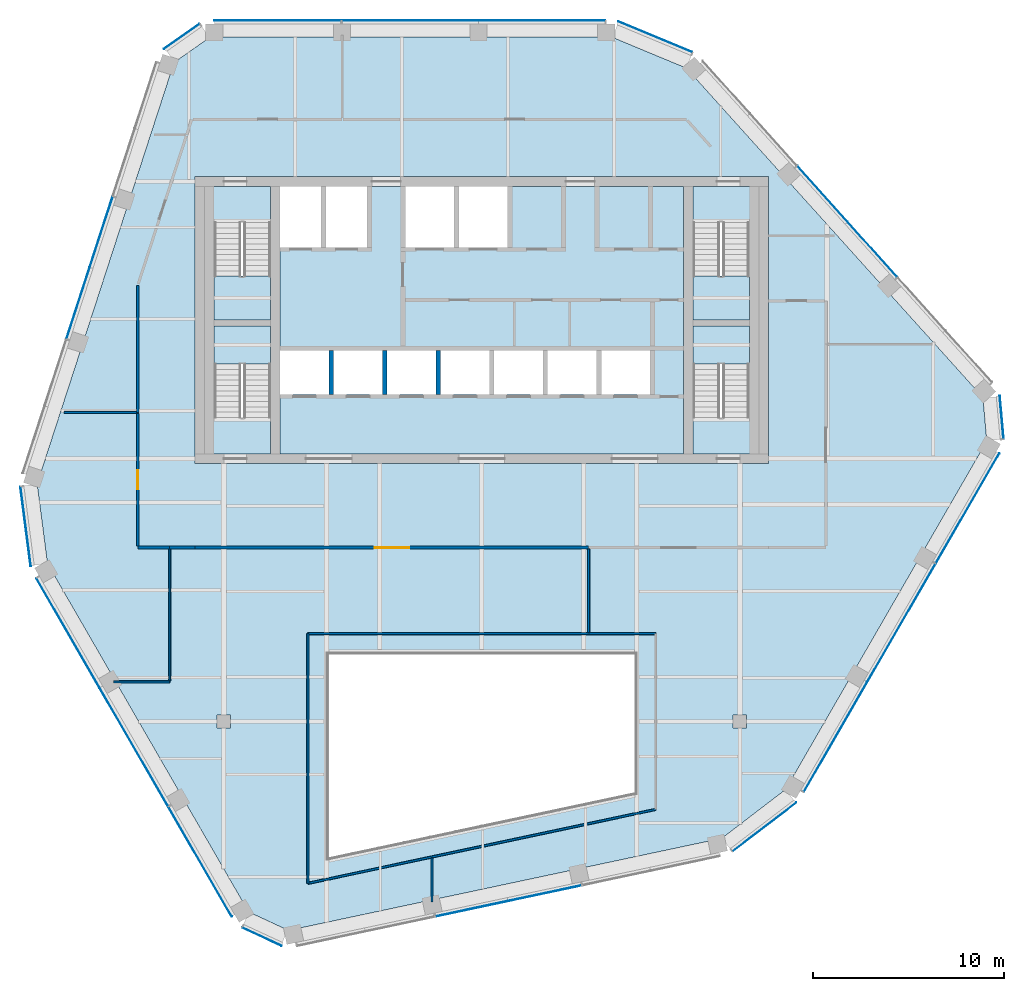
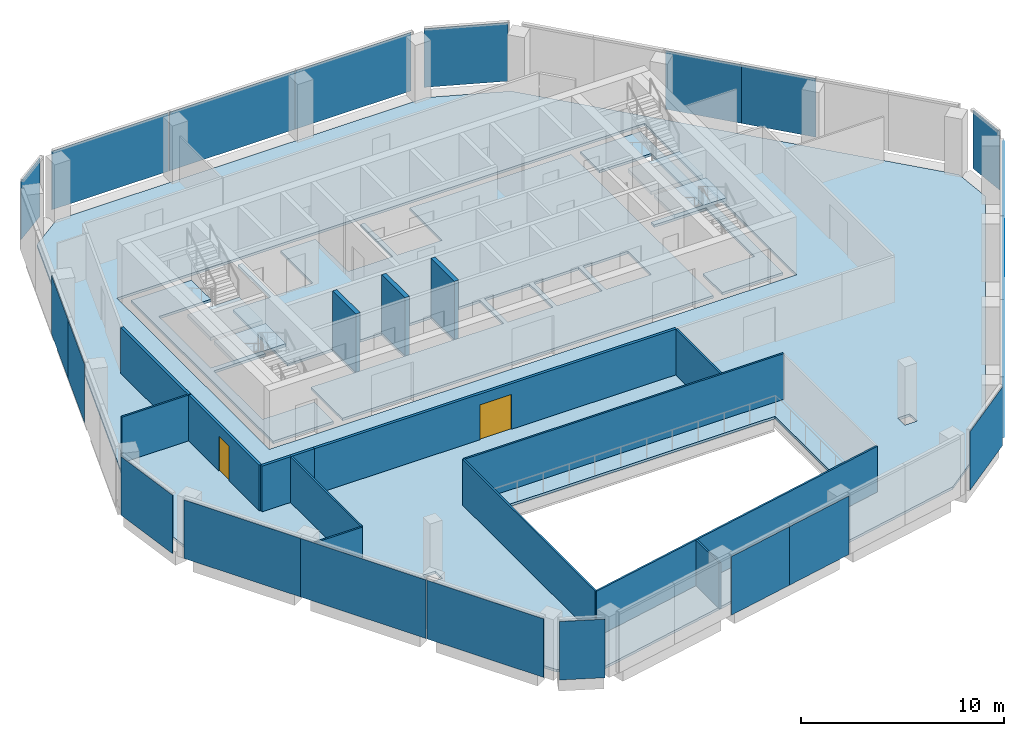
# One storey, part 7 of 15: 21 plates, 16 walls, 8 slabs, 2 doors, 2 openings, 16 elements without a shape of their own.
"""IFC4 building model written with IfcOpenShell, lengths in metres."""

import ifcopenshell
import ifcopenshell.guid

model = None  # the IFC model being written
_history = None  # IfcOwnerHistory: only IFC2X3 demands one
_inside = {}  # id of a spatial element -> (the spatial element, [elements in it])
_under = {}  # id of a project, library or spatial element -> (it, [spatial elements below it])
_declared = {}  # id of a project -> (the project, [libraries it declares])
_typed = {}  # id of a type object -> (the type object, [elements of that type])
_made_of = {}  # id of a material, layer set ... -> (it, [elements and type objects made of it])


def new_model(schema):
    """Start an empty IFC model of exactly this schema.

    Asked for "IFC4X3", IfcOpenShell would pick the latest addendum, in which some entities
    have other attributes; the version numbers below select the first issue.
    IFC2X3 requires an IfcOwnerHistory on every rooted entity: one is made here for all.
    """
    global model, _history
    if schema == "IFC4X3":
        model = ifcopenshell.file(schema_version=(4, 3, 0, 0))
    else:
        model = ifcopenshell.file(schema=schema)
    _inside.clear()
    _under.clear()
    _declared.clear()
    _typed.clear()
    _made_of.clear()
    _history = None
    if model.schema == "IFC2X3":
        org = make("IfcOrganization", Name="unknown")
        user = make(
            "IfcPersonAndOrganization",
            ThePerson=make("IfcPerson", FamilyName="unknown"),
            TheOrganization=org,
        )
        app = make(
            "IfcApplication",
            ApplicationDeveloper=org,
            Version="unknown",
            ApplicationFullName="unknown",
            ApplicationIdentifier="unknown",
        )
        _history = make(
            "IfcOwnerHistory",
            OwningUser=user,
            OwningApplication=app,
            ChangeAction="ADDED",
            CreationDate=0,
        )
    return model


def make(cls, **values):
    """One entity of the class cls with the attributes given. An attribute that is None is left unset."""
    return model.create_entity(
        cls, **{name: value for name, value in values.items() if value is not None}
    )


def rooted(cls, **values):
    """An entity with a GlobalId (a new one), such as an element, a storey or a relation."""
    return make(cls, GlobalId=ifcopenshell.guid.new(), OwnerHistory=_history, **values)


def si_unit(unit_type, name, prefix=None):
    """IfcSIUnit, for example si_unit("LENGTHUNIT", "METRE", prefix="MILLI")."""
    return make("IfcSIUnit", UnitType=unit_type, Prefix=prefix, Name=name)


def assignment(units):
    """IfcUnitAssignment: the units of a project."""
    return None if units is None else make("IfcUnitAssignment", Units=units)


def point(xyz):
    """IfcCartesianPoint."""
    return None if xyz is None else make("IfcCartesianPoint", Coordinates=xyz)


def direction(xyz):
    """IfcDirection."""
    return None if xyz is None else make("IfcDirection", DirectionRatios=xyz)


def frame(location, z_axis=None, x_axis=None):
    """IfcAxis2Placement3D, a coordinate frame: its origin and axes. An axis left out is left unset."""
    return make(
        "IfcAxis2Placement3D",
        Location=point(location),
        Axis=direction(z_axis),
        RefDirection=direction(x_axis),
    )


def frame_2d(location, x_axis=None):
    """IfcAxis2Placement2D, a coordinate frame in the plane: its origin and x axis."""
    return make(
        "IfcAxis2Placement2D", Location=point(location), RefDirection=direction(x_axis)
    )


def origin():
    """The frame at (0, 0, 0) with its axes left unset."""
    return frame((0.0, 0.0, 0.0))


def origin_2d():
    """The frame at (0, 0) in the plane with its x axis left unset."""
    return frame_2d((0.0, 0.0))


def place(relative_to, where):
    """IfcLocalPlacement: puts the frame where relative to a parent placement (None: the world)."""
    return make(
        "IfcLocalPlacement", PlacementRelTo=relative_to, RelativePlacement=where
    )


def context(
    kind, dimensions, precision=None, world=None, true_north=None, identifier=None
):
    """IfcGeometricRepresentationContext, for example the 3D "Model" context."""
    return make(
        "IfcGeometricRepresentationContext",
        ContextIdentifier=identifier,
        ContextType=kind,
        CoordinateSpaceDimension=dimensions,
        Precision=precision,
        WorldCoordinateSystem=world,
        TrueNorth=true_north,
    )


def subcontext(parent, identifier, kind, view, scale=None):
    """IfcGeometricRepresentationSubContext, for example "Body" below "Model"."""
    return make(
        "IfcGeometricRepresentationSubContext",
        ContextIdentifier=identifier,
        ContextType=kind,
        ParentContext=parent,
        TargetScale=scale,
        TargetView=view,
    )


def project(units=None, contexts=None):
    """IfcProject with its units and contexts."""
    return rooted(
        "IfcProject",
        Name="project",
        RepresentationContexts=contexts,
        UnitsInContext=assignment(units),
    )


def spatial(cls, under=None, at=None, **own):
    """A site, building, storey or space (cls), placed at a placement, below another one or the project."""
    s = rooted(cls, ObjectPlacement=at, **own)
    if under is not None:
        _under.setdefault(under.id(), (under, []))[1].append(s)
    return s


def polyline(points):
    """IfcPolyline through the points."""
    return make("IfcPolyline", Points=[point(p) for p in points])


def profile(cls, at=None, kind="AREA", **sizes):
    """A parametric profile (cls). Its sizes go by their IFC names, for example OverallWidth=200.0."""
    return make(cls, ProfileType=kind, Position=at, **sizes)


def rectangle(**sizes):
    """IfcRectangleProfileDef."""
    return profile("IfcRectangleProfileDef", **sizes)


def outline(outer, holes=None, kind="AREA"):
    """IfcArbitraryClosedProfileDef: a profile drawn as a closed curve; with holes, ...WithVoids."""
    if holes is None:
        return make("IfcArbitraryClosedProfileDef", ProfileType=kind, OuterCurve=outer)
    return make(
        "IfcArbitraryProfileDefWithVoids",
        ProfileType=kind,
        OuterCurve=outer,
        InnerCurves=holes,
    )


def extrude(swept, where, along, depth):
    """IfcExtrudedAreaSolid: the profile swept, set in the frame where, extruded along a direction by depth."""
    return make(
        "IfcExtrudedAreaSolid",
        SweptArea=swept,
        Position=where,
        ExtrudedDirection=direction(along),
        Depth=depth,
    )


def shape(context_of_items, identifier, shape_type, items):
    """IfcShapeRepresentation: the items that make up one representation, for example the "Body"."""
    return make(
        "IfcShapeRepresentation",
        ContextOfItems=context_of_items,
        RepresentationIdentifier=identifier,
        RepresentationType=shape_type,
        Items=items,
    )


def material(Name=None, Category=None):
    """IfcMaterial."""
    return make("IfcMaterial", Name=Name, Category=Category)


def layer(
    of_material, thickness, ventilated=None, Name=None, Category=None, Priority=None
):
    """IfcMaterialLayer: one layer of a wall or slab, of a material (None: an air gap)."""
    return make(
        "IfcMaterialLayer",
        Material=of_material,
        LayerThickness=thickness,
        IsVentilated=ventilated,
        Name=Name,
        Category=Category,
        Priority=Priority,
    )


def layer_set(layers, Name=None):
    """IfcMaterialLayerSet."""
    return make("IfcMaterialLayerSet", MaterialLayers=layers, LayerSetName=Name)


def made_of(thing, what):
    """Note that an element or type object is made of a material, layer set ...; save() writes the relation."""
    if what is not None:
        _made_of.setdefault(what.id(), (what, []))[1].append(thing)
    return thing


def type_object(cls, material=None, **own):
    """A type object (cls), such as IfcWallType, which elements share."""
    return made_of(rooted(cls, **own), material)


def element(
    cls,
    number,
    at=None,
    inside=None,
    cuts=None,
    type_object=None,
    material=None,
    context=None,
    identifier="Body",
    shape_type=None,
    held_by="IfcProductDefinitionShape",
    body=None,
    shapes=None,
    **own,
):
    """One element of the class cls, such as IfcWall. Its Tag is "e" and its number.

    at: its placement. inside: the storey or other place that contains it. cuts: it is an
    opening in that element (IfcRelVoidsElement). A single representation is given by context,
    identifier, shape_type and body (its items); several are given by shapes. held_by: the class
    of the entity that holds the representations. save() writes the other relations.
    """
    e = rooted(cls, Tag="e%d" % number, ObjectPlacement=at, **own)
    if body is not None:
        shapes = [shape(context, identifier, shape_type, body)]
    if shapes is not None:
        e.Representation = make(held_by, Representations=shapes)
    if inside is not None:
        _inside.setdefault(inside.id(), (inside, []))[1].append(e)
    if cuts is not None:
        rooted(
            "IfcRelVoidsElement", RelatingBuildingElement=cuts, RelatedOpeningElement=e
        )
    if type_object is not None:
        _typed.setdefault(type_object.id(), (type_object, []))[1].append(e)
    return made_of(e, material)


def fill(opening, filler):
    """IfcRelFillsElement: the door or window that sits in an opening."""
    return rooted(
        "IfcRelFillsElement",
        RelatingOpeningElement=opening,
        RelatedBuildingElement=filler,
    )


def aggregate(whole, parts):
    """IfcRelAggregates: a whole, such as a stair, and the parts it consists of."""
    return rooted("IfcRelAggregates", RelatingObject=whole, RelatedObjects=parts)


def save(model, path):
    """Write the relations noted so far, then the file.

    IfcRelAggregates (storeys below a building ...), IfcRelContainedInSpatialStructure (elements
    in a storey), IfcRelDefinesByType, IfcRelAssociatesMaterial and IfcRelDeclares: one each for
    every whole, place, type object, material and project.
    """
    for whole, parts in _under.values():
        aggregate(whole, parts)
    for where, things in _inside.values():
        rooted(
            "IfcRelContainedInSpatialStructure",
            RelatedElements=things,
            RelatingStructure=where,
        )
    for kind, things in _typed.values():
        rooted("IfcRelDefinesByType", RelatedObjects=things, RelatingType=kind)
    for what, things in _made_of.values():
        rooted("IfcRelAssociatesMaterial", RelatedObjects=things, RelatingMaterial=what)
    for by, libraries in _declared.values():
        rooted("IfcRelDeclares", RelatingContext=by, RelatedDefinitions=libraries)
    model.write(path)


model = new_model("IFC4")

# Units and contexts
model_context = context("Model", 3, precision=1e-05, world=origin(), true_north=direction((0.0, 1.0)))
body_context = subcontext(model_context, "Body", "Model", "MODEL_VIEW")
ifc_project = project(units=[si_unit("LENGTHUNIT", "METRE"), si_unit("AREAUNIT", "SQUARE_METRE"), si_unit("VOLUMEUNIT", "CUBIC_METRE"), si_unit("PLANEANGLEUNIT", "RADIAN"), si_unit("MASSUNIT", "GRAM", prefix="KILO")], contexts=[model_context])

# Site, building, storey
site_placement = place(None, origin())
site = spatial("IfcSite", under=ifc_project, at=site_placement, CompositionType="ELEMENT")
building_placement = place(site_placement, origin())
building = spatial("IfcBuilding", under=site, at=building_placement, Name="Isthmus Gate Tower", CompositionType="ELEMENT")
storey_placement = place(building_placement, frame((0.0, 0.0, 293.800048828125)))
storey = spatial("IfcBuildingStorey", under=building, at=storey_placement, Name="L75", CompositionType="ELEMENT", Elevation=293.800048828125)

# Slabs
ifc_material_1 = material(Name="Concrete f'c 40 MPa", Category="concrete")
ifc_layer_1 = layer(ifc_material_1, 0.14990234375)
ifc_layer_set_1 = layer_set([ifc_layer_1], Name="COMPOSITE FLOOR SLAB 150")
slab_type_1 = type_object("IfcSlabType", Name="COMPOSITE FLOOR SLAB 150", PredefinedType="FLOOR", material=ifc_layer_set_1)
slab_1_placement = place(storey_placement, frame((0.0, 0.0, -0.150146484375)))
element("IfcSlab", 1, at=slab_1_placement, inside=storey, type_object=slab_type_1, Name="str-slab-L75-1", PredefinedType="FLOOR", context=body_context, shape_type="SweptSolid", body=[
    extrude(outline(polyline([(10.7080078125, 20.68310546875), (26.218017578125, 3.45751953125), (26.423583984375, 1.1669921875), (15.902587890625, -17.055908203125), (12.55810546875, -19.614990234375), (-10.11474609375, -24.434326171875), (-12.201171875, -23.467041015625), (-22.72216796875, -5.243896484375), (-23.26611328125, -1.068115234375), (-16.103515625, 20.976806640625), (-14.22265625, 22.300048828125), (6.819580078125, 22.300048828125), (10.7080078125, 20.68310546875)]), holes=[polyline([(-8.0, -10.0), (-8.0, -20.611083984375), (8.0, -17.210205078125), (8.0, -10.0), (-8.0, -10.0)]), polyline([(-13.85009765625, -13.14990234375), (-13.85009765625, -13.85009765625), (-13.14990234375, -13.85009765625), (-13.14990234375, -13.14990234375), (-13.85009765625, -13.14990234375)]), polyline([(13.14990234375, -13.14990234375), (13.14990234375, -13.85009765625), (13.85009765625, -13.85009765625), (13.85009765625, -13.14990234375), (13.14990234375, -13.14990234375)]), polyline([(-15.0, 0.0), (15.0, 0.0), (15.0, 15.0), (-15.0, 15.0), (-15.0, 0.0)])]), origin(), (0.0, 0.0, 1.0), 0.150146484375),
])
ifc_material_2 = material(Name="Concrete f'c 40 MPa", Category="concrete")
ifc_layer_2 = layer(ifc_material_2, 0.14990234375)
ifc_layer_set_2 = layer_set([ifc_layer_2], Name="CORE FLOOR SLAB 150")
slab_type_2 = type_object("IfcSlabType", Name="CORE FLOOR SLAB 150", PredefinedType="FLOOR", material=ifc_layer_set_2)
slab_2_placement = place(storey_placement, frame((0.0, 0.0, -0.150146484375)))
element("IfcSlab", 2, at=slab_2_placement, inside=storey, type_object=slab_type_2, Name="L75 core floor", PredefinedType="FLOOR", context=body_context, shape_type="SweptSolid", body=[
    extrude(outline(polyline([(-11.050048828125, 0.5), (-11.050048828125, 2.402099609375), (-14.0, 2.402099609375), (-14.0, 7.199951171875), (-11.050048828125, 7.199951171875), (-11.050048828125, 7.5), (-14.0, 7.5), (-14.0, 12.597900390625), (-11.050048828125, 12.597900390625), (-11.050048828125, 14.5), (-14.5, 14.5), (-14.5, 0.5), (-11.050048828125, 0.5)])), origin(), (0.0, 0.0, 1.0), 0.150146484375),
])
slab_3_placement = place(storey_placement, frame((0.0, 0.0, -0.150146484375)))
element("IfcSlab", 3, at=slab_3_placement, inside=storey, type_object=slab_type_2, Name="L75 core floor", PredefinedType="FLOOR", context=body_context, shape_type="SweptSolid", body=[
    extrude(outline(polyline([(10.550048828125, 14.5), (1.35009765625, 14.5), (1.35009765625, 11.300048828125), (-1.199951171875, 11.300048828125), (-1.199951171875, 14.5), (-1.449951171875, 14.5), (-1.449951171875, 11.300048828125), (-4.0, 11.300048828125), (-4.0, 14.5), (-6.0, 14.5), (-6.0, 11.300048828125), (-8.14990234375, 11.300048828125), (-8.14990234375, 14.5), (-8.39990234375, 14.5), (-8.39990234375, 11.300048828125), (-10.550048828125, 11.300048828125), (-10.550048828125, 5.89990234375), (-8.0, 5.89990234375), (-8.0, 3.60009765625), (-10.550048828125, 3.60009765625), (-10.550048828125, 0.5), (10.550048828125, 0.5), (10.550048828125, 14.5)]), holes=[polyline([(-5.199951171875, 5.89990234375), (-5.199951171875, 3.60009765625), (-7.75, 3.60009765625), (-7.75, 5.89990234375), (-5.199951171875, 5.89990234375)]), polyline([(-2.39990234375, 5.89990234375), (-2.39990234375, 3.60009765625), (-4.949951171875, 3.60009765625), (-4.949951171875, 5.89990234375), (-2.39990234375, 5.89990234375)]), polyline([(0.39990234375, 5.89990234375), (0.39990234375, 3.60009765625), (-2.14990234375, 3.60009765625), (-2.14990234375, 5.89990234375), (0.39990234375, 5.89990234375)]), polyline([(3.199951171875, 5.89990234375), (3.199951171875, 3.60009765625), (0.64990234375, 3.60009765625), (0.64990234375, 5.89990234375), (3.199951171875, 5.89990234375)]), polyline([(6.0, 5.89990234375), (6.0, 3.60009765625), (3.449951171875, 3.60009765625), (3.449951171875, 5.89990234375), (6.0, 5.89990234375)]), polyline([(8.800048828125, 5.89990234375), (8.800048828125, 3.60009765625), (6.25, 3.60009765625), (6.25, 5.89990234375), (8.800048828125, 5.89990234375)])]), origin(), (0.0, 0.0, 1.0), 0.150146484375),
])
slab_4_placement = place(storey_placement, frame((0.0, 0.0, -0.150146484375)))
element("IfcSlab", 4, at=slab_4_placement, inside=storey, type_object=slab_type_2, Name="L75 core floor", PredefinedType="FLOOR", context=body_context, shape_type="SweptSolid", body=[
    extrude(outline(polyline([(11.050048828125, 14.5), (11.050048828125, 12.597900390625), (14.0, 12.597900390625), (14.0, 7.5), (11.050048828125, 7.5), (11.050048828125, 7.199951171875), (14.0, 7.199951171875), (14.0, 2.402099609375), (11.050048828125, 2.402099609375), (11.050048828125, 0.5), (14.5, 0.5), (14.5, 14.5), (11.050048828125, 14.5)])), origin(), (0.0, 0.0, 1.0), 0.150146484375),
])

# Curtain wall, plates
ifc_material_3 = material(Name="Aluminium, pale champagne anodised", Category="aluminium")
ifc_layer_3 = layer(ifc_material_3, 0.199951171875)
ifc_layer_set_3 = layer_set([ifc_layer_3], Name="CW-1 UNITISED CURTAIN WALL 200 DEEP")
curtain_wall_type = type_object("IfcCurtainWallType", Name="CW-1 UNITISED CURTAIN WALL 200 DEEP", PredefinedType="NOTDEFINED", material=ifc_layer_set_3)
curtain_wall_1_placement = place(storey_placement, origin())
curtain_wall_1 = element("IfcCurtainWall", 5, at=curtain_wall_1_placement, inside=storey, type_object=curtain_wall_type, Name="CW-1 N L75", PredefinedType="NOTDEFINED")
ifc_material_4 = material(Name="Laminated low-iron glass, pale blue tint", Category="glass")
ifc_layer_4 = layer(ifc_material_4, 0.031982421875)
ifc_layer_set_4 = layer_set([ifc_layer_4], Name="CW-1 CLEAR GLASS LITE 32")
plate_type = type_object("IfcPlateType", Name="CW-1 CLEAR GLASS LITE 32", PredefinedType="CURTAIN_PANEL", material=ifc_layer_set_4)
plate_1_placement = place(storey_placement, frame((3.13720703125, 23.18408203125, 0.0), z_axis=(0.0, 0.0, 1.0), x_axis=(-1.0, 0.0, 0.0)))
plate_1 = element("IfcPlate", 6, at=plate_1_placement, type_object=plate_type, Name="CW-1 glass lite", PredefinedType="CURTAIN_PANEL", context=body_context, shape_type="SweptSolid", body=[
    extrude(rectangle(XDim=6.62451171875, YDim=0.031982421875, at=origin_2d()), origin(), (0.0, 0.0, 1.0), 3.52001953125),
])
plate_2_placement = place(storey_placement, frame((-3.742431640625, 23.18408203125, 0.0), z_axis=(0.0, 0.0, 1.0), x_axis=(-1.0, 0.0, 0.0)))
plate_2 = element("IfcPlate", 7, at=plate_2_placement, type_object=plate_type, Name="CW-1 glass lite", PredefinedType="CURTAIN_PANEL", context=body_context, shape_type="SweptSolid", body=[
    extrude(rectangle(XDim=7.134521484375, YDim=0.031982421875, at=origin_2d()), origin(), (0.0, 0.0, 1.0), 3.52001953125),
])
plate_3_placement = place(storey_placement, frame((-10.681884765625, 23.18408203125, 0.0), z_axis=(0.0, 0.0, 1.0), x_axis=(-1.0, 0.0, 0.0)))
plate_3 = element("IfcPlate", 8, at=plate_3_placement, type_object=plate_type, Name="CW-1 glass lite", PredefinedType="CURTAIN_PANEL", context=body_context, shape_type="SweptSolid", body=[
    extrude(rectangle(XDim=6.62451171875, YDim=0.031982421875, at=origin_2d()), origin(), (0.0, 0.0, 1.0), 3.52001953125),
])
aggregate(curtain_wall_1, [plate_1, plate_2, plate_3])

# Curtain wall, plate
curtain_wall_2_placement = place(storey_placement, origin())
curtain_wall_2 = element("IfcCurtainWall", 9, at=curtain_wall_2_placement, inside=storey, type_object=curtain_wall_type, Name="CW-1 N-NW L75", PredefinedType="NOTDEFINED")
plate_4_placement = place(storey_placement, frame((-15.6953125, 22.3447265625, 0.0), z_axis=(0.0, 0.0, 1.0), x_axis=(-0.81785959165, -0.57541783805, 0.0)))
plate_4 = element("IfcPlate", 10, at=plate_4_placement, type_object=plate_type, Name="CW-1 glass lite", PredefinedType="CURTAIN_PANEL", context=body_context, shape_type="SweptSolid", body=[
    extrude(rectangle(XDim=2.258544921875, YDim=0.031982421875, at=origin_2d()), origin(), (0.0, 0.0, 1.0), 3.52001953125),
])
aggregate(curtain_wall_2, [plate_4])

# Curtain wall, plates
curtain_wall_3_placement = place(storey_placement, origin())
curtain_wall_3 = element("IfcCurtainWall", 11, at=curtain_wall_3_placement, inside=storey, type_object=curtain_wall_type, Name="CW-1 NW L75", PredefinedType="NOTDEFINED")
plate_5_placement = place(storey_placement, frame((-19.916259765625, 12.10302734375, 0.0), z_axis=(0.0, 0.0, 1.0), x_axis=(-0.309016994375, -0.951056516295, 0.0)))
plate_5 = element("IfcPlate", 12, at=plate_5_placement, type_object=plate_type, Name="CW-1 glass lite", PredefinedType="CURTAIN_PANEL", context=body_context, shape_type="SweptSolid", body=[
    extrude(rectangle(XDim=3.868408203125, YDim=0.031982421875, at=origin_2d()), origin(), (0.0, 0.0, 1.0), 3.52001953125),
])
plate_6_placement = place(storey_placement, frame((-21.120849609375, 8.395263671875, 0.0), z_axis=(0.0, 0.0, 1.0), x_axis=(-0.309016994375, -0.951056516295, 0.0)))
plate_6 = element("IfcPlate", 13, at=plate_6_placement, type_object=plate_type, Name="CW-1 glass lite", PredefinedType="CURTAIN_PANEL", context=body_context, shape_type="SweptSolid", body=[
    extrude(rectangle(XDim=3.928466796875, YDim=0.031982421875, at=origin_2d()), origin(), (0.0, 0.0, 1.0), 3.52001953125),
])
aggregate(curtain_wall_3, [plate_5, plate_6])

# Curtain wall, plate
curtain_wall_4_placement = place(storey_placement, origin())
curtain_wall_4 = element("IfcCurtainWall", 14, at=curtain_wall_4_placement, inside=storey, type_object=curtain_wall_type, Name="CW-1 NW-SW L75", PredefinedType="NOTDEFINED")
plate_7_placement = place(storey_placement, frame((-23.866943359375, -3.2998046875, 0.0), z_axis=(0.0, 0.0, 1.0), x_axis=(0.129164534, -0.991623175988, 0.0)))
plate_7 = element("IfcPlate", 15, at=plate_7_placement, type_object=plate_type, Name="CW-1 glass lite", PredefinedType="CURTAIN_PANEL", context=body_context, shape_type="SweptSolid", body=[
    extrude(rectangle(XDim=4.181396484375, YDim=0.031982421875, at=origin_2d()), origin(), (0.0, 0.0, 1.0), 3.52001953125),
])
aggregate(curtain_wall_4, [plate_7])

# Curtain wall, plates
curtain_wall_5_placement = place(storey_placement, origin())
curtain_wall_5 = element("IfcCurtainWall", 16, at=curtain_wall_5_placement, inside=storey, type_object=curtain_wall_type, Name="CW-1 SW L75", PredefinedType="NOTDEFINED")
plate_8_placement = place(storey_placement, frame((-21.646484375, -8.875244140625, 0.0), z_axis=(0.0, 0.0, 1.0), x_axis=(0.5, -0.866025403784, 0.0)))
plate_8 = element("IfcPlate", 17, at=plate_8_placement, type_object=plate_type, Name="CW-1 glass lite", PredefinedType="CURTAIN_PANEL", context=body_context, shape_type="SweptSolid", body=[
    extrude(rectangle(XDim=6.62451171875, YDim=0.031982421875, at=origin_2d()), origin(), (0.0, 0.0, 1.0), 3.52001953125),
])
plate_9_placement = place(storey_placement, frame((-18.206787109375, -14.8330078125, 0.0), z_axis=(0.0, 0.0, 1.0), x_axis=(0.5, -0.866025403784, 0.0)))
plate_9 = element("IfcPlate", 18, at=plate_9_placement, type_object=plate_type, Name="CW-1 glass lite", PredefinedType="CURTAIN_PANEL", context=body_context, shape_type="SweptSolid", body=[
    extrude(rectangle(XDim=7.134521484375, YDim=0.031982421875, at=origin_2d()), origin(), (0.0, 0.0, 1.0), 3.52001953125),
])
plate_10_placement = place(storey_placement, frame((-14.737060546875, -20.8427734375, 0.0), z_axis=(0.0, 0.0, 1.0), x_axis=(0.5, -0.866025403784, 0.0)))
plate_10 = element("IfcPlate", 19, at=plate_10_placement, type_object=plate_type, Name="CW-1 glass lite", PredefinedType="CURTAIN_PANEL", context=body_context, shape_type="SweptSolid", body=[
    extrude(rectangle(XDim=6.62451171875, YDim=0.031982421875, at=origin_2d()), origin(), (0.0, 0.0, 1.0), 3.52001953125),
])
aggregate(curtain_wall_5, [plate_8, plate_9, plate_10])

# Curtain wall, plate
curtain_wall_6_placement = place(storey_placement, origin())
curtain_wall_6 = element("IfcCurtainWall", 20, at=curtain_wall_6_placement, inside=storey, type_object=curtain_wall_type, Name="CW-1 SW-S L75", PredefinedType="NOTDEFINED")
plate_11_placement = place(storey_placement, frame((-11.50341796875, -24.764892578125, 0.0), z_axis=(0.0, 0.0, 1.0), x_axis=(0.907256261367, -0.420578264073, 0.0)))
plate_11 = element("IfcPlate", 21, at=plate_11_placement, type_object=plate_type, Name="CW-1 glass lite", PredefinedType="CURTAIN_PANEL", context=body_context, shape_type="SweptSolid", body=[
    extrude(rectangle(XDim=2.258544921875, YDim=0.031982421875, at=origin_2d()), origin(), (0.0, 0.0, 1.0), 3.52001953125),
])
aggregate(curtain_wall_6, [plate_11])

# Curtain wall, plates
curtain_wall_7_placement = place(storey_placement, origin())
curtain_wall_7 = element("IfcCurtainWall", 22, at=curtain_wall_7_placement, inside=storey, type_object=curtain_wall_type, Name="CW-1 S L75", PredefinedType="NOTDEFINED")
plate_12_placement = place(storey_placement, frame((-0.5234375, -23.29931640625, 0.0), z_axis=(0.0, 0.0, 1.0), x_axis=(0.978147600734, 0.207911690818, 0.0)))
plate_12 = element("IfcPlate", 23, at=plate_12_placement, type_object=plate_type, Name="CW-1 glass lite", PredefinedType="CURTAIN_PANEL", context=body_context, shape_type="SweptSolid", body=[
    extrude(rectangle(XDim=3.868408203125, YDim=0.031982421875, at=origin_2d()), origin(), (0.0, 0.0, 1.0), 3.52001953125),
])
plate_13_placement = place(storey_placement, frame((3.289794921875, -22.48876953125, 0.0), z_axis=(0.0, 0.0, 1.0), x_axis=(0.978147600734, 0.207911690818, 0.0)))
plate_13 = element("IfcPlate", 24, at=plate_13_placement, type_object=plate_type, Name="CW-1 glass lite", PredefinedType="CURTAIN_PANEL", context=body_context, shape_type="SweptSolid", body=[
    extrude(rectangle(XDim=3.928466796875, YDim=0.031982421875, at=origin_2d()), origin(), (0.0, 0.0, 1.0), 3.52001953125),
])
aggregate(curtain_wall_7, [plate_12, plate_13])

# Curtain wall, plate
curtain_wall_8_placement = place(storey_placement, origin())
curtain_wall_8 = element("IfcCurtainWall", 25, at=curtain_wall_8_placement, inside=storey, type_object=curtain_wall_type, Name="CW-1 S-SE L75", PredefinedType="NOTDEFINED")
plate_14_placement = place(storey_placement, frame((14.791259765625, -19.01953125, 0.0), z_axis=(0.0, 0.0, 1.0), x_axis=(0.794188594387, 0.607671355706, 0.0)))
plate_14 = element("IfcPlate", 26, at=plate_14_placement, type_object=plate_type, Name="CW-1 glass lite", PredefinedType="CURTAIN_PANEL", context=body_context, shape_type="SweptSolid", body=[
    extrude(rectangle(XDim=4.181396484375, YDim=0.031982421875, at=origin_2d()), origin(), (0.0, 0.0, 1.0), 3.52001953125),
])
aggregate(curtain_wall_8, [plate_14])

# Curtain wall, plates
curtain_wall_9_placement = place(storey_placement, origin())
curtain_wall_9 = element("IfcCurtainWall", 27, at=curtain_wall_9_placement, inside=storey, type_object=curtain_wall_type, Name="CW-1 SE L75", PredefinedType="NOTDEFINED")
plate_15_placement = place(storey_placement, frame((18.50927734375, -14.308837890625, 0.0), z_axis=(0.0, 0.0, 1.0), x_axis=(0.5, 0.866025403784, 0.0)))
plate_15 = element("IfcPlate", 28, at=plate_15_placement, type_object=plate_type, Name="CW-1 glass lite", PredefinedType="CURTAIN_PANEL", context=body_context, shape_type="SweptSolid", body=[
    extrude(rectangle(XDim=6.62451171875, YDim=0.031982421875, at=origin_2d()), origin(), (0.0, 0.0, 1.0), 3.52001953125),
])
plate_16_placement = place(storey_placement, frame((21.94921875, -8.35107421875, 0.0), z_axis=(0.0, 0.0, 1.0), x_axis=(0.5, 0.866025403784, 0.0)))
plate_16 = element("IfcPlate", 29, at=plate_16_placement, type_object=plate_type, Name="CW-1 glass lite", PredefinedType="CURTAIN_PANEL", context=body_context, shape_type="SweptSolid", body=[
    extrude(rectangle(XDim=7.134521484375, YDim=0.031982421875, at=origin_2d()), origin(), (0.0, 0.0, 1.0), 3.52001953125),
])
plate_17_placement = place(storey_placement, frame((25.4189453125, -2.34130859375, 0.0), z_axis=(0.0, 0.0, 1.0), x_axis=(0.5, 0.866025403784, 0.0)))
plate_17 = element("IfcPlate", 30, at=plate_17_placement, type_object=plate_type, Name="CW-1 glass lite", PredefinedType="CURTAIN_PANEL", context=body_context, shape_type="SweptSolid", body=[
    extrude(rectangle(XDim=6.62451171875, YDim=0.031982421875, at=origin_2d()), origin(), (0.0, 0.0, 1.0), 3.52001953125),
])
aggregate(curtain_wall_9, [plate_15, plate_16, plate_17])

# Curtain wall, plate
curtain_wall_10_placement = place(storey_placement, origin())
curtain_wall_10 = element("IfcCurtainWall", 31, at=curtain_wall_10_placement, inside=storey, type_object=curtain_wall_type, Name="CW-1 SE-NE L75", PredefinedType="NOTDEFINED")
plate_18_placement = place(storey_placement, frame((27.19873046875, 2.420166015625, 0.0), z_axis=(0.0, 0.0, 1.0), x_axis=(-0.089396669717, 0.995996102123, 0.0)))
plate_18 = element("IfcPlate", 32, at=plate_18_placement, type_object=plate_type, Name="CW-1 glass lite", PredefinedType="CURTAIN_PANEL", context=body_context, shape_type="SweptSolid", body=[
    extrude(rectangle(XDim=2.258544921875, YDim=0.031982421875, at=origin_2d()), origin(), (0.0, 0.0, 1.0), 3.52001953125),
])
aggregate(curtain_wall_10, [plate_18])

# Curtain wall, plates
curtain_wall_11_placement = place(storey_placement, origin())
curtain_wall_11 = element("IfcCurtainWall", 33, at=curtain_wall_11_placement, inside=storey, type_object=curtain_wall_type, Name="CW-1 NE L75", PredefinedType="NOTDEFINED")
plate_19_placement = place(storey_placement, frame((20.439453125, 11.196533203125, 0.0), z_axis=(0.0, 0.0, 1.0), x_axis=(-0.669130606359, 0.743144825477, 0.0)))
plate_19 = element("IfcPlate", 34, at=plate_19_placement, type_object=plate_type, Name="CW-1 glass lite", PredefinedType="CURTAIN_PANEL", context=body_context, shape_type="SweptSolid", body=[
    extrude(rectangle(XDim=3.868408203125, YDim=0.031982421875, at=origin_2d()), origin(), (0.0, 0.0, 1.0), 3.52001953125),
])
plate_20_placement = place(storey_placement, frame((17.8310546875, 14.093505859375, 0.0), z_axis=(0.0, 0.0, 1.0), x_axis=(-0.669130606359, 0.743144825477, 0.0)))
plate_20 = element("IfcPlate", 35, at=plate_20_placement, type_object=plate_type, Name="CW-1 glass lite", PredefinedType="CURTAIN_PANEL", context=body_context, shape_type="SweptSolid", body=[
    extrude(rectangle(XDim=3.928466796875, YDim=0.031982421875, at=origin_2d()), origin(), (0.0, 0.0, 1.0), 3.52001953125),
])
aggregate(curtain_wall_11, [plate_19, plate_20])

# Curtain wall, plate
curtain_wall_12_placement = place(storey_placement, origin())
curtain_wall_12 = element("IfcCurtainWall", 36, at=curtain_wall_12_placement, inside=storey, type_object=curtain_wall_type, Name="CW-1 NE-N L75", PredefinedType="NOTDEFINED")
plate_21_placement = place(storey_placement, frame((9.07568359375, 22.3193359375, 0.0), z_axis=(0.0, 0.0, 1.0), x_axis=(-0.923353128387, 0.383951820282, 0.0)))
plate_21 = element("IfcPlate", 37, at=plate_21_placement, type_object=plate_type, Name="CW-1 glass lite", PredefinedType="CURTAIN_PANEL", context=body_context, shape_type="SweptSolid", body=[
    extrude(rectangle(XDim=4.181396484375, YDim=0.031982421875, at=origin_2d()), origin(), (0.0, 0.0, 1.0), 3.52001953125),
])
aggregate(curtain_wall_12, [plate_21])

# Stair, slab
ifc_material_5 = material(Name="Concrete f'c 40 MPa", Category="concrete")
stair_type = type_object("IfcStairType", Name="CORE STAIR 22 RISERS", PredefinedType="HALF_TURN_STAIR", material=ifc_material_5)
stair_1_placement = place(storey_placement, origin())
stair_1 = element("IfcStair", 38, at=stair_1_placement, inside=storey, type_object=stair_type, Name="L75 Exit Stair 1", PredefinedType="HALF_TURN_STAIR")
ifc_material_6 = material(Name="Concrete f'c 40 MPa", Category="concrete")
ifc_layer_5 = layer(ifc_material_6, 0.199951171875)
ifc_layer_set_5 = layer_set([ifc_layer_5])
slab_type_3 = type_object("IfcSlabType", Name="STAIR LANDING RC 200", PredefinedType="LANDING", material=ifc_layer_set_5)
slab_5_placement = place(storey_placement, frame((0.0, 0.0, 1.625)))
slab_5 = element("IfcSlab", 39, at=slab_5_placement, type_object=slab_type_3, Name="ST1 landing 1", PredefinedType="LANDING", context=body_context, shape_type="SweptSolid", body=[
    extrude(outline(polyline([(-14.0, 9.800048828125), (-14.0, 7.5), (-11.050048828125, 7.5), (-11.050048828125, 9.800048828125), (-14.0, 9.800048828125)])), origin(), (0.0, 0.0, 1.0), 0.199951171875),
])
aggregate(stair_1, [slab_5])

stair_2_placement = place(storey_placement, origin())
stair_2 = element("IfcStair", 40, at=stair_2_placement, inside=storey, type_object=stair_type, Name="L75 Exit Stair 2", PredefinedType="HALF_TURN_STAIR")
slab_6_placement = place(storey_placement, frame((0.0, 0.0, 1.625)))
slab_6 = element("IfcSlab", 41, at=slab_6_placement, type_object=slab_type_3, Name="ST2 landing 1", PredefinedType="LANDING", context=body_context, shape_type="SweptSolid", body=[
    extrude(outline(polyline([(11.050048828125, 9.800048828125), (11.050048828125, 7.5), (14.0, 7.5), (14.0, 9.800048828125), (11.050048828125, 9.800048828125)])), origin(), (0.0, 0.0, 1.0), 0.199951171875),
])
aggregate(stair_2, [slab_6])

stair_3_placement = place(storey_placement, origin())
stair_3 = element("IfcStair", 42, at=stair_3_placement, inside=storey, type_object=stair_type, Name="L75 Exit Stair 7", PredefinedType="HALF_TURN_STAIR")
slab_7_placement = place(storey_placement, frame((0.0, 0.0, 1.625)))
slab_7 = element("IfcSlab", 43, at=slab_7_placement, type_object=slab_type_3, Name="ST7 landing 1", PredefinedType="LANDING", context=body_context, shape_type="SweptSolid", body=[
    extrude(outline(polyline([(-11.050048828125, 5.199951171875), (-11.050048828125, 7.199951171875), (-14.0, 7.199951171875), (-14.0, 5.199951171875), (-11.050048828125, 5.199951171875)])), origin(), (0.0, 0.0, 1.0), 0.199951171875),
])
aggregate(stair_3, [slab_7])

stair_4_placement = place(storey_placement, origin())
stair_4 = element("IfcStair", 44, at=stair_4_placement, inside=storey, type_object=stair_type, Name="L75 Exit Stair 8", PredefinedType="HALF_TURN_STAIR")
slab_8_placement = place(storey_placement, frame((0.0, 0.0, 1.625)))
slab_8 = element("IfcSlab", 45, at=slab_8_placement, type_object=slab_type_3, Name="ST8 landing 1", PredefinedType="LANDING", context=body_context, shape_type="SweptSolid", body=[
    extrude(outline(polyline([(14.0, 5.199951171875), (14.0, 7.199951171875), (11.050048828125, 7.199951171875), (11.050048828125, 5.199951171875), (14.0, 5.199951171875)])), origin(), (0.0, 0.0, 1.0), 0.199951171875),
])
aggregate(stair_4, [slab_8])

# Walls
ifc_material_7 = material(Name="Fire-rated laminated glass in steel frame", Category="steel")
ifc_layer_6 = layer(ifc_material_7, 0.10009765625)
ifc_layer_set_6 = layer_set([ifc_layer_6], Name="ATRIUM SCREEN GLAZED WALL 100 120 MIN")
wall_type_1 = type_object("IfcWallType", Name="ATRIUM SCREEN GLAZED WALL 100 120 MIN", PredefinedType="PARTITIONING", material=ifc_layer_set_6)
wall_1_placement = place(storey_placement, frame((-9.10009765625, -8.89990234375, 0.0), z_axis=(0.0, 0.0, 1.0), x_axis=(1.0, 0.0, 0.0)))
element("IfcWall", 46, at=wall_1_placement, inside=storey, type_object=wall_type_1, Name="L75 atrium screen", PredefinedType="PARTITIONING", context=body_context, shape_type="SweptSolid", body=[
    extrude(rectangle(XDim=18.2001953125, YDim=0.10009765625, at=frame_2d((9.10009765625, 0.0))), origin(), (0.0, 0.0, 1.0), 2.750732421875),
])
wall_2_placement = place(storey_placement, frame((9.10009765625, -18.100830078125, 0.0), z_axis=(0.0, 0.0, 1.0), x_axis=(-0.978146710971, -0.207915876778, 0.0)))
element("IfcWall", 47, at=wall_2_placement, inside=storey, type_object=wall_type_1, Name="L75 atrium screen", PredefinedType="PARTITIONING", context=body_context, shape_type="SweptSolid", body=[
    extrude(rectangle(XDim=18.60693359375, YDim=0.10009765625, at=frame_2d((9.303466796875, 0.0))), origin(), (0.0, 0.0, 1.0), 2.750732421875),
])
wall_3_placement = place(storey_placement, frame((-9.10009765625, -21.969482421875, 0.0), z_axis=(0.0, 0.0, 1.0), x_axis=(0.0, 1.0, 0.0)))
element("IfcWall", 48, at=wall_3_placement, inside=storey, type_object=wall_type_1, Name="L75 atrium screen", PredefinedType="PARTITIONING", context=body_context, shape_type="SweptSolid", body=[
    extrude(rectangle(XDim=13.069580078125, YDim=0.10009765625, at=frame_2d((6.53466796875, 0.0))), origin(), (0.0, 0.0, 1.0), 2.750732421875),
])

# Wall, opening, door
ifc_material_8 = material(Name="Gypsum board on steel studs, fire-rated", Category="steel")
ifc_layer_7 = layer(ifc_material_8, 0.14990234375)
ifc_layer_set_7 = layer_set([ifc_layer_7], Name="CORRIDOR WALL 150 60 MIN")
wall_type_2 = type_object("IfcWallType", Name="CORRIDOR WALL 150 60 MIN", PredefinedType="PARTITIONING", material=ifc_layer_set_7)
wall_4_placement = place(storey_placement, frame((5.590087890625, -4.39990234375, 0.0), z_axis=(0.0, 0.0, 1.0), x_axis=(-1.0, 0.0, 0.0)))
wall_4 = element("IfcWall", 49, at=wall_4_placement, inside=storey, type_object=wall_type_2, Name="L75 Corridor Wall 150 60 Min", PredefinedType="PARTITIONING", context=body_context, shape_type="SweptSolid", body=[
    extrude(rectangle(XDim=20.590087890625, YDim=0.14990234375, at=frame_2d((10.294921875, 0.0))), origin(), (0.0, 0.0, 1.0), 2.750732421875),
])
opening_1_placement = place(wall_4_placement, frame((9.39501953125, 0.0, 0.0)))
opening_1 = element("IfcOpeningElement", 50, at=opening_1_placement, cuts=wall_4, Name="Opening DT-T6D-08", PredefinedType="OPENING", context=body_context, shape_type="SweptSolid", body=[
    extrude(rectangle(XDim=1.800048828125, YDim=2.10009765625, at=frame_2d((0.89990234375, 1.050048828125))), frame((0.0, 0.0849609375, 0.0), z_axis=(0.0, -1.0, 0.0), x_axis=(1.0, 0.0, 0.0)), (0.0, 0.0, 1.0), 0.169921875),
])
ifc_material_9 = material(Name="Solid core timber door leaf, fire-rated", Category="wood")
door_type_1 = type_object("IfcDoorType", Name="FIRE DOOR ROOM 1800 X 2100 60 MIN", OperationType="DOUBLE_DOOR_DOUBLE_SWING", PredefinedType="DOOR", material=ifc_material_9)
door_1_placement = place(opening_1_placement, origin())
door_1 = element("IfcDoor", 51, at=door_1_placement, inside=storey, type_object=door_type_1, Name="L75 room door", OperationType="DOUBLE_DOOR_DOUBLE_SWING", OverallHeight=2.10009765625, OverallWidth=1.800048828125, PredefinedType="DOOR", context=body_context, shape_type="SweptSolid", body=[
    extrude(rectangle(XDim=1.800048828125, YDim=2.10009765625, at=frame_2d((0.89990234375, 1.050048828125))), frame((0.0, 0.02490234375, 0.0), z_axis=(0.0, -1.0, 0.0), x_axis=(1.0, 0.0, 0.0)), (0.0, 0.0, 1.0), 0.050048828125),
])
fill(opening_1, door_1)

# Walls
wall_5_placement = place(storey_placement, frame((-16.327880859375, -4.39990234375, 0.0), z_axis=(0.0, 0.0, 1.0), x_axis=(-1.0, 0.0, 0.0)))
element("IfcWall", 52, at=wall_5_placement, inside=storey, type_object=wall_type_2, Name="L75 Corridor Wall 150 60 Min", PredefinedType="PARTITIONING", context=body_context, shape_type="SweptSolid", body=[
    extrude(rectangle(XDim=1.672119140625, YDim=0.14990234375, at=frame_2d((0.8359375, 0.0))), origin(), (0.0, 0.0, 1.0), 2.750732421875),
])
wall_6_placement = place(storey_placement, frame((-15.0, -4.39990234375, 0.0), z_axis=(0.0, 0.0, 1.0), x_axis=(-1.0, 0.0, 0.0)))
element("IfcWall", 53, at=wall_6_placement, inside=storey, type_object=wall_type_2, Name="L75 Corridor Wall 150 60 Min", PredefinedType="PARTITIONING", context=body_context, shape_type="SweptSolid", body=[
    extrude(rectangle(XDim=1.327880859375, YDim=0.14990234375, at=frame_2d((0.6640625, 0.0))), origin(), (0.0, 0.0, 1.0), 2.750732421875),
])
wall_7_placement = place(storey_placement, frame((-18.0, 2.669921875, 0.0), z_axis=(0.0, 0.0, 1.0), x_axis=(0.0, 1.0, 0.0)))
element("IfcWall", 54, at=wall_7_placement, inside=storey, type_object=wall_type_2, Name="L75 Corridor Wall 150 60 Min", PredefinedType="PARTITIONING", context=body_context, shape_type="SweptSolid", body=[
    extrude(rectangle(XDim=6.64501953125, YDim=0.14990234375, at=frame_2d((3.322509765625, 0.0))), origin(), (0.0, 0.0, 1.0), 2.750732421875),
])

# Wall, opening, door
wall_8_placement = place(storey_placement, frame((-18.0, -4.324951171875, 0.0), z_axis=(0.0, 0.0, 1.0), x_axis=(0.0, 1.0, 0.0)))
wall_8 = element("IfcWall", 55, at=wall_8_placement, inside=storey, type_object=wall_type_2, Name="L75 Corridor Wall 150 60 Min", PredefinedType="PARTITIONING", context=body_context, shape_type="SweptSolid", body=[
    extrude(rectangle(XDim=6.945068359375, YDim=0.14990234375, at=frame_2d((3.47265625, 0.0))), origin(), (0.0, 0.0, 1.0), 2.750732421875),
])
opening_2_placement = place(wall_8_placement, frame((2.972412109375, 0.0, 0.0)))
opening_2 = element("IfcOpeningElement", 56, at=opening_2_placement, cuts=wall_8, Name="Opening DT-T6D-05", PredefinedType="OPENING", context=body_context, shape_type="SweptSolid", body=[
    extrude(rectangle(XDim=1.0, YDim=2.10009765625, at=frame_2d((0.5, 1.050048828125))), frame((0.0, 0.0849609375, 0.0), z_axis=(0.0, -1.0, 0.0), x_axis=(1.0, 0.0, 0.0)), (0.0, 0.0, 1.0), 0.169921875),
])
ifc_material_10 = material(Name="Solid core timber door leaf, fire-rated", Category="wood")
door_type_2 = type_object("IfcDoorType", Name="FIRE DOOR ROOM 1000 X 2100 60 MIN", OperationType="SINGLE_SWING_LEFT", PredefinedType="DOOR", material=ifc_material_10)
door_2_placement = place(opening_2_placement, origin())
door_2 = element("IfcDoor", 57, at=door_2_placement, inside=storey, type_object=door_type_2, Name="L75 room door", OperationType="SINGLE_SWING_RIGHT", OverallHeight=2.10009765625, OverallWidth=1.0, PredefinedType="DOOR", context=body_context, shape_type="SweptSolid", body=[
    extrude(rectangle(XDim=1.0, YDim=2.10009765625, at=frame_2d((0.5, 1.050048828125))), frame((0.0, 0.02490234375, 0.0), z_axis=(0.0, -1.0, 0.0), x_axis=(1.0, 0.0, 0.0)), (0.0, 0.0, 1.0), 0.050048828125),
])
fill(opening_2, door_2)

# Walls
ifc_material_11 = material(Name="Gypsum board on steel studs, fire-rated", Category="steel")
ifc_layer_8 = layer(ifc_material_11, 0.10009765625)
ifc_layer_set_8 = layer_set([ifc_layer_8], Name="ROOM PARTITION 100 30 MIN")
wall_type_3 = type_object("IfcWallType", Name="ROOM PARTITION 100 30 MIN", PredefinedType="PARTITIONING", material=ifc_layer_set_8)
wall_9_placement = place(storey_placement, frame((-21.85693359375, 2.669921875, 0.0), z_axis=(0.0, 0.0, 1.0), x_axis=(1.0, 0.0, 0.0)))
element("IfcWall", 58, at=wall_9_placement, inside=storey, type_object=wall_type_3, Name="L75 Room Partition 100 30 Min", PredefinedType="PARTITIONING", context=body_context, shape_type="SweptSolid", body=[
    extrude(rectangle(XDim=3.781982421875, YDim=0.10009765625, at=frame_2d((1.89111328125, 0.0))), origin(), (0.0, 0.0, 1.0), 2.750732421875),
])
wall_10_placement = place(storey_placement, frame((-19.26806640625, -11.427001953125, 0.0), z_axis=(0.0, 0.0, 1.0), x_axis=(1.0, 0.0, 0.0)))
element("IfcWall", 59, at=wall_10_placement, inside=storey, type_object=wall_type_3, Name="L75 Room Partition 100 30 Min", PredefinedType="PARTITIONING", context=body_context, shape_type="SweptSolid", body=[
    extrude(rectangle(XDim=2.940185546875, YDim=0.10009765625, at=frame_2d((1.47021484375, 0.0))), origin(), (0.0, 0.0, 1.0), 2.750732421875),
])
wall_11_placement = place(storey_placement, frame((-16.327880859375, -11.376953125, 0.0), z_axis=(0.0, 0.0, 1.0), x_axis=(0.0, 1.0, 0.0)))
element("IfcWall", 60, at=wall_11_placement, inside=storey, type_object=wall_type_3, Name="L75 Room Partition 100 30 Min", PredefinedType="PARTITIONING", context=body_context, shape_type="SweptSolid", body=[
    extrude(rectangle(XDim=6.90185546875, YDim=0.10009765625, at=frame_2d((3.450927734375, 0.0))), origin(), (0.0, 0.0, 1.0), 2.750732421875),
])
wall_12_placement = place(storey_placement, frame((-2.60595703125, -22.93994140625, 0.0), z_axis=(0.0, 0.0, 1.0), x_axis=(0.0, 1.0, 0.0)))
element("IfcWall", 61, at=wall_12_placement, inside=storey, type_object=wall_type_3, Name="L75 Room Partition 100 30 Min", PredefinedType="PARTITIONING", context=body_context, shape_type="SweptSolid", body=[
    extrude(rectangle(XDim=2.300048828125, YDim=0.10009765625, at=frame_2d((1.14990234375, 0.0))), origin(), (0.0, 0.0, 1.0), 2.750732421875),
])
wall_13_placement = place(storey_placement, frame((5.590087890625, -8.85009765625, 0.0), z_axis=(0.0, 0.0, 1.0), x_axis=(0.0, 1.0, 0.0)))
element("IfcWall", 62, at=wall_13_placement, inside=storey, type_object=wall_type_3, Name="L75 Room Partition 100 30 Min", PredefinedType="PARTITIONING", context=body_context, shape_type="SweptSolid", body=[
    extrude(rectangle(XDim=4.375, YDim=0.10009765625, at=frame_2d((2.1875, 0.0))), origin(), (0.0, 0.0, 1.0), 2.750732421875),
])
ifc_material_12 = material(Name="Fire-rated blockwork masonry, 15 MPa", Category="masonry")
ifc_layer_9 = layer(ifc_material_12, 0.25)
ifc_layer_set_9 = layer_set([ifc_layer_9], Name="SHAFT WALL 250 120 MIN")
wall_type_4 = type_object("IfcWallType", Name="SHAFT WALL 250 120 MIN", PredefinedType="PARTITIONING", material=ifc_layer_set_9)
for number, where, z_axis, x_axis, name in (
    (63, (-7.875, 3.60009765625, 0.0), (0.0, 0.0, 1.0), (0.0, 1.0, 0.0), "L75 SHAFT WALL 250 120 MIN"),
    (64, (-5.074951171875, 3.60009765625, 0.0), (0.0, 0.0, 1.0), (0.0, 1.0, 0.0), "L75 SHAFT WALL 250 120 MIN"),
    (65, (-2.27490234375, 3.60009765625, 0.0), (0.0, 0.0, 1.0), (0.0, 1.0, 0.0), "L75 SHAFT WALL 250 120 MIN"),
):
    element("IfcWall", number, at=place(storey_placement, frame(where, z_axis=z_axis, x_axis=x_axis)), inside=storey, type_object=wall_type_4, Name=name, PredefinedType="PARTITIONING", context=body_context, shape_type="SweptSolid", body=[
        extrude(rectangle(XDim=2.2998046875, YDim=0.25, at=frame_2d((1.14990234375, 0.0))), origin(), (0.0, 0.0, 1.0), 3.5),
    ])

save(model, "model.ifc")
